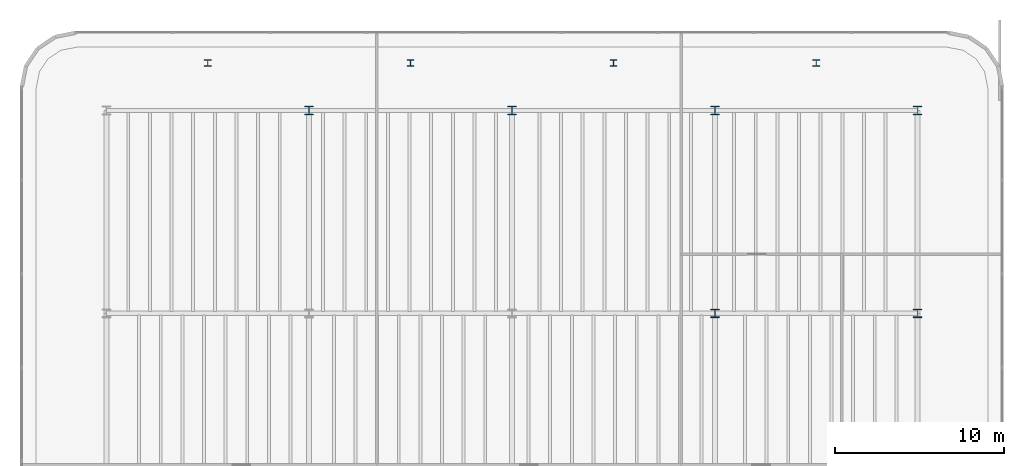
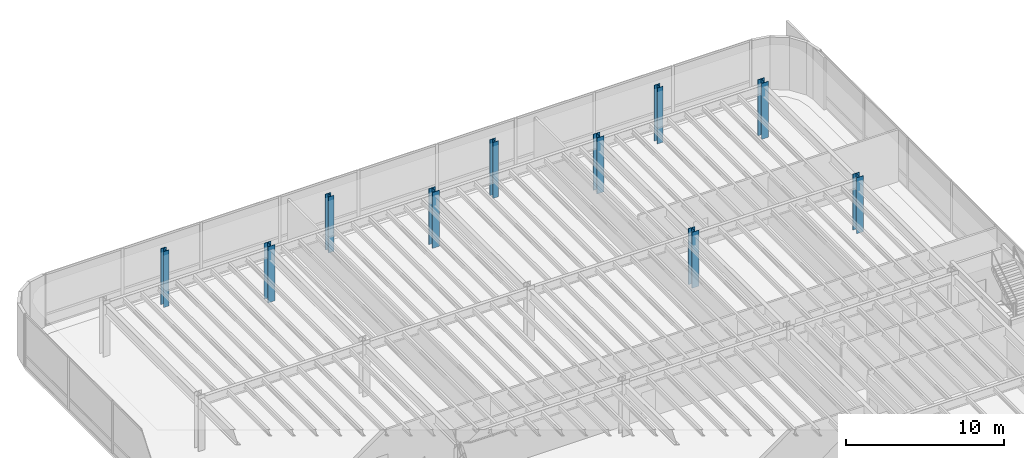
# One storey, part 3 of 19: 10 columns.
"""IFC4 building model written with IfcOpenShell, lengths in metres."""

import ifcopenshell
import ifcopenshell.guid

model = None  # the IFC model being written
_history = None  # IfcOwnerHistory: only IFC2X3 demands one
_inside = {}  # id of a spatial element -> (the spatial element, [elements in it])
_under = {}  # id of a project, library or spatial element -> (it, [spatial elements below it])
_declared = {}  # id of a project -> (the project, [libraries it declares])
_typed = {}  # id of a type object -> (the type object, [elements of that type])
_made_of = {}  # id of a material, layer set ... -> (it, [elements and type objects made of it])


def new_model(schema):
    """Start an empty IFC model of exactly this schema.

    Asked for "IFC4X3", IfcOpenShell would pick the latest addendum, in which some entities
    have other attributes; the version numbers below select the first issue.
    IFC2X3 requires an IfcOwnerHistory on every rooted entity: one is made here for all.
    """
    global model, _history
    if schema == "IFC4X3":
        model = ifcopenshell.file(schema_version=(4, 3, 0, 0))
    else:
        model = ifcopenshell.file(schema=schema)
    _inside.clear()
    _under.clear()
    _declared.clear()
    _typed.clear()
    _made_of.clear()
    _history = None
    if model.schema == "IFC2X3":
        org = make("IfcOrganization", Name="unknown")
        user = make(
            "IfcPersonAndOrganization",
            ThePerson=make("IfcPerson", FamilyName="unknown"),
            TheOrganization=org,
        )
        app = make(
            "IfcApplication",
            ApplicationDeveloper=org,
            Version="unknown",
            ApplicationFullName="unknown",
            ApplicationIdentifier="unknown",
        )
        _history = make(
            "IfcOwnerHistory",
            OwningUser=user,
            OwningApplication=app,
            ChangeAction="ADDED",
            CreationDate=0,
        )
    return model


def make(cls, **values):
    """One entity of the class cls with the attributes given. An attribute that is None is left unset."""
    return model.create_entity(
        cls, **{name: value for name, value in values.items() if value is not None}
    )


def rooted(cls, **values):
    """An entity with a GlobalId (a new one), such as an element, a storey or a relation."""
    return make(cls, GlobalId=ifcopenshell.guid.new(), OwnerHistory=_history, **values)


def si_unit(unit_type, name, prefix=None):
    """IfcSIUnit, for example si_unit("LENGTHUNIT", "METRE", prefix="MILLI")."""
    return make("IfcSIUnit", UnitType=unit_type, Prefix=prefix, Name=name)


def assignment(units):
    """IfcUnitAssignment: the units of a project."""
    return None if units is None else make("IfcUnitAssignment", Units=units)


def point(xyz):
    """IfcCartesianPoint."""
    return None if xyz is None else make("IfcCartesianPoint", Coordinates=xyz)


def direction(xyz):
    """IfcDirection."""
    return None if xyz is None else make("IfcDirection", DirectionRatios=xyz)


def frame(location, z_axis=None, x_axis=None):
    """IfcAxis2Placement3D, a coordinate frame: its origin and axes. An axis left out is left unset."""
    return make(
        "IfcAxis2Placement3D",
        Location=point(location),
        Axis=direction(z_axis),
        RefDirection=direction(x_axis),
    )


def frame_2d(location, x_axis=None):
    """IfcAxis2Placement2D, a coordinate frame in the plane: its origin and x axis."""
    return make(
        "IfcAxis2Placement2D", Location=point(location), RefDirection=direction(x_axis)
    )


def origin():
    """The frame at (0, 0, 0) with its axes left unset."""
    return frame((0.0, 0.0, 0.0))


def origin_2d():
    """The frame at (0, 0) in the plane with its x axis left unset."""
    return frame_2d((0.0, 0.0))


def place(relative_to, where):
    """IfcLocalPlacement: puts the frame where relative to a parent placement (None: the world)."""
    return make(
        "IfcLocalPlacement", PlacementRelTo=relative_to, RelativePlacement=where
    )


def context(
    kind, dimensions, precision=None, world=None, true_north=None, identifier=None
):
    """IfcGeometricRepresentationContext, for example the 3D "Model" context."""
    return make(
        "IfcGeometricRepresentationContext",
        ContextIdentifier=identifier,
        ContextType=kind,
        CoordinateSpaceDimension=dimensions,
        Precision=precision,
        WorldCoordinateSystem=world,
        TrueNorth=true_north,
    )


def subcontext(parent, identifier, kind, view, scale=None):
    """IfcGeometricRepresentationSubContext, for example "Body" below "Model"."""
    return make(
        "IfcGeometricRepresentationSubContext",
        ContextIdentifier=identifier,
        ContextType=kind,
        ParentContext=parent,
        TargetScale=scale,
        TargetView=view,
    )


def project(units=None, contexts=None):
    """IfcProject with its units and contexts."""
    return rooted(
        "IfcProject",
        Name="project",
        RepresentationContexts=contexts,
        UnitsInContext=assignment(units),
    )


def spatial(cls, under=None, at=None, **own):
    """A site, building, storey or space (cls), placed at a placement, below another one or the project."""
    s = rooted(cls, ObjectPlacement=at, **own)
    if under is not None:
        _under.setdefault(under.id(), (under, []))[1].append(s)
    return s


def profile(cls, at=None, kind="AREA", **sizes):
    """A parametric profile (cls). Its sizes go by their IFC names, for example OverallWidth=200.0."""
    return make(cls, ProfileType=kind, Position=at, **sizes)


def i_section(**sizes):
    """IfcIShapeProfileDef."""
    return profile("IfcIShapeProfileDef", **sizes)


def extrude(swept, where, along, depth):
    """IfcExtrudedAreaSolid: the profile swept, set in the frame where, extruded along a direction by depth."""
    return make(
        "IfcExtrudedAreaSolid",
        SweptArea=swept,
        Position=where,
        ExtrudedDirection=direction(along),
        Depth=depth,
    )


def shape(context_of_items, identifier, shape_type, items):
    """IfcShapeRepresentation: the items that make up one representation, for example the "Body"."""
    return make(
        "IfcShapeRepresentation",
        ContextOfItems=context_of_items,
        RepresentationIdentifier=identifier,
        RepresentationType=shape_type,
        Items=items,
    )


def source(mapping_origin, context_of_items, identifier, shape_type, items):
    """IfcRepresentationMap: a shape defined once, which mapped items show again and again."""
    return make(
        "IfcRepresentationMap",
        MappingOrigin=mapping_origin,
        MappedRepresentation=shape(context_of_items, identifier, shape_type, items),
    )


def transform(
    local_origin,
    x_axis=None,
    y_axis=None,
    z_axis=None,
    scale=None,
    scale2=None,
    scale3=None,
    uniform=True,
):
    """IfcCartesianTransformationOperator3D, or its non-uniform kind. x_axis, y_axis, z_axis: its Axis1, 2, 3."""
    if uniform:
        return make(
            "IfcCartesianTransformationOperator3D",
            Axis1=direction(x_axis),
            Axis2=direction(y_axis),
            LocalOrigin=point(local_origin),
            Scale=scale,
            Axis3=direction(z_axis),
        )
    return make(
        "IfcCartesianTransformationOperator3DnonUniform",
        Axis1=direction(x_axis),
        Axis2=direction(y_axis),
        LocalOrigin=point(local_origin),
        Scale=scale,
        Axis3=direction(z_axis),
        Scale2=scale2,
        Scale3=scale3,
    )


def mapped(mapping_source, mapping_target):
    """IfcMappedItem: shows the shape of a source again, moved by a transform."""
    return make(
        "IfcMappedItem", MappingSource=mapping_source, MappingTarget=mapping_target
    )


def material(Name=None, Category=None):
    """IfcMaterial."""
    return make("IfcMaterial", Name=Name, Category=Category)


def material_profile(
    of_material, cross_section, Name=None, Category=None, Priority=None
):
    """IfcMaterialProfile: a cross section and its material."""
    return make(
        "IfcMaterialProfile",
        Name=Name,
        Material=of_material,
        Profile=cross_section,
        Priority=Priority,
        Category=Category,
    )


def profile_set(profiles, Name=None, composite=None):
    """IfcMaterialProfileSet."""
    return make(
        "IfcMaterialProfileSet",
        Name=Name,
        MaterialProfiles=profiles,
        CompositeProfile=composite,
    )


def made_of(thing, what):
    """Note that an element or type object is made of a material, layer set ...; save() writes the relation."""
    if what is not None:
        _made_of.setdefault(what.id(), (what, []))[1].append(thing)
    return thing


def type_object(cls, material=None, **own):
    """A type object (cls), such as IfcWallType, which elements share."""
    return made_of(rooted(cls, **own), material)


def element(
    cls,
    number,
    at=None,
    inside=None,
    cuts=None,
    type_object=None,
    material=None,
    context=None,
    identifier="Body",
    shape_type=None,
    held_by="IfcProductDefinitionShape",
    body=None,
    shapes=None,
    **own,
):
    """One element of the class cls, such as IfcWall. Its Tag is "e" and its number.

    at: its placement. inside: the storey or other place that contains it. cuts: it is an
    opening in that element (IfcRelVoidsElement). A single representation is given by context,
    identifier, shape_type and body (its items); several are given by shapes. held_by: the class
    of the entity that holds the representations. save() writes the other relations.
    """
    e = rooted(cls, Tag="e%d" % number, ObjectPlacement=at, **own)
    if body is not None:
        shapes = [shape(context, identifier, shape_type, body)]
    if shapes is not None:
        e.Representation = make(held_by, Representations=shapes)
    if inside is not None:
        _inside.setdefault(inside.id(), (inside, []))[1].append(e)
    if cuts is not None:
        rooted(
            "IfcRelVoidsElement", RelatingBuildingElement=cuts, RelatedOpeningElement=e
        )
    if type_object is not None:
        _typed.setdefault(type_object.id(), (type_object, []))[1].append(e)
    return made_of(e, material)


def aggregate(whole, parts):
    """IfcRelAggregates: a whole, such as a stair, and the parts it consists of."""
    return rooted("IfcRelAggregates", RelatingObject=whole, RelatedObjects=parts)


def save(model, path):
    """Write the relations noted so far, then the file.

    IfcRelAggregates (storeys below a building ...), IfcRelContainedInSpatialStructure (elements
    in a storey), IfcRelDefinesByType, IfcRelAssociatesMaterial and IfcRelDeclares: one each for
    every whole, place, type object, material and project.
    """
    for whole, parts in _under.values():
        aggregate(whole, parts)
    for where, things in _inside.values():
        rooted(
            "IfcRelContainedInSpatialStructure",
            RelatedElements=things,
            RelatingStructure=where,
        )
    for kind, things in _typed.values():
        rooted("IfcRelDefinesByType", RelatedObjects=things, RelatingType=kind)
    for what, things in _made_of.values():
        rooted("IfcRelAssociatesMaterial", RelatedObjects=things, RelatingMaterial=what)
    for by, libraries in _declared.values():
        rooted("IfcRelDeclares", RelatingContext=by, RelatedDefinitions=libraries)
    model.write(path)


model = new_model("IFC4")

# Units and contexts
model_context = context("Model", 3, precision=1e-05, world=origin(), true_north=direction((0.0, 1.0)))
body_context = subcontext(model_context, "Body", "Model", "MODEL_VIEW")
ifc_project = project(units=[si_unit("LENGTHUNIT", "METRE"), si_unit("AREAUNIT", "SQUARE_METRE"), si_unit("VOLUMEUNIT", "CUBIC_METRE"), si_unit("PLANEANGLEUNIT", "RADIAN"), si_unit("MASSUNIT", "GRAM", prefix="KILO")], contexts=[model_context])

# Site, building, storey
site_placement = place(None, origin())
site = spatial("IfcSite", under=ifc_project, at=site_placement, CompositionType="ELEMENT")
building_placement = place(site_placement, origin())
building = spatial("IfcBuilding", under=site, at=building_placement, Name="Brelvock Crest Care Tower", CompositionType="ELEMENT")
storey_placement = place(building_placement, frame((0.0, 0.0, 14.0400390625)))
storey = spatial("IfcBuildingStorey", under=building, at=storey_placement, Name="L03", CompositionType="ELEMENT", Elevation=14.0400390625)

# Columns
ifc_material = material(Name="Steel Grade 350", Category="steel")
ifc_material_profile_1 = material_profile(ifc_material, i_section(OverallWidth=0.5, OverallDepth=0.5, WebThickness=0.02197265625, FlangeThickness=0.034912109375, at=origin_2d()), Name="500WC340")
ifc_profile_set_1 = profile_set([ifc_material_profile_1], Name="Steel Grade 350")
column_type_1 = type_object("IfcColumnType", Name="COL-PC2", PredefinedType="COLUMN", material=ifc_profile_set_1)
shared_shape_1 = source(origin(), body_context, "Body", "SweptSolid", [
    extrude(i_section(OverallWidth=0.5, OverallDepth=0.5, WebThickness=0.02197265625, FlangeThickness=0.034912109375, at=origin_2d()), origin(), (0.0, 0.0, 1.0), 4.320068359375),
])
for number, where, z_axis, x_axis, name in (
    (1, (48.0, 42.0, 0.0), (0.0, 0.0, 1.0), (1.0, 0.0, 0.0), "L03 Podium Column PC-13"),
    (2, (60.0, 42.0, 0.0), (0.0, 0.0, 1.0), (1.0, 0.0, 0.0), "L03 Podium Column PC-14"),
    (3, (24.0, 54.0, 0.0), (0.0, 0.0, 1.0), (1.0, 0.0, 0.0), "L03 Podium Column PC-16"),
    (4, (36.0, 54.0, 0.0), (0.0, 0.0, 1.0), (1.0, 0.0, 0.0), "L03 Podium Column PC-17"),
    (5, (48.0, 54.0, 0.0), (0.0, 0.0, 1.0), (1.0, 0.0, 0.0), "L03 Podium Column PC-18"),
    (6, (60.0, 54.0, 0.0), (0.0, 0.0, 1.0), (1.0, 0.0, 0.0), "L03 Podium Column PC-19"),
):
    element("IfcColumn", number, at=place(storey_placement, frame(where, z_axis=z_axis, x_axis=x_axis)), inside=storey, type_object=column_type_1, Name=name, PredefinedType="COLUMN", context=body_context, shape_type="MappedRepresentation", body=[
        mapped(shared_shape_1, transform((0.0, 0.0, 0.0), x_axis=(1.0, 0.0, 0.0), y_axis=(0.0, 1.0, 0.0), z_axis=(0.0, 0.0, 1.0), scale=1.0)),
    ])
ifc_material_profile_2 = material_profile(ifc_material, i_section(OverallWidth=0.39990234375, OverallDepth=0.39990234375, WebThickness=0.02197265625, FlangeThickness=0.034912109375, at=origin_2d()), Name="400WC270")
ifc_profile_set_2 = profile_set([ifc_material_profile_2], Name="Steel Grade 350")
column_type_2 = type_object("IfcColumnType", Name="COL-PC3", PredefinedType="COLUMN", material=ifc_profile_set_2)
shared_shape_2 = source(origin(), body_context, "Body", "SweptSolid", [
    extrude(i_section(OverallWidth=0.39990234375, OverallDepth=0.39990234375, WebThickness=0.02197265625, FlangeThickness=0.034912109375, at=origin_2d()), origin(), (0.0, 0.0, 1.0), 4.320068359375),
])
for number, where, z_axis, x_axis, name in (
    (7, (18.0, 56.800048828125, 0.0), (0.0, 0.0, 1.0), (1.0, 0.0, 0.0), "L03 Podium North Column PCN-1"),
    (8, (30.0, 56.800048828125, 0.0), (0.0, 0.0, 1.0), (1.0, 0.0, 0.0), "L03 Podium North Column PCN-2"),
    (9, (42.0, 56.800048828125, 0.0), (0.0, 0.0, 1.0), (1.0, 0.0, 0.0), "L03 Podium North Column PCN-3"),
    (10, (54.0, 56.800048828125, 0.0), (0.0, 0.0, 1.0), (1.0, 0.0, 0.0), "L03 Podium North Column PCN-4"),
):
    element("IfcColumn", number, at=place(storey_placement, frame(where, z_axis=z_axis, x_axis=x_axis)), inside=storey, type_object=column_type_2, Name=name, PredefinedType="COLUMN", context=body_context, shape_type="MappedRepresentation", body=[
        mapped(shared_shape_2, transform((0.0, 0.0, 0.0), x_axis=(1.0, 0.0, 0.0), y_axis=(0.0, 1.0, 0.0), z_axis=(0.0, 0.0, 1.0), scale=1.0)),
    ])

save(model, "model.ifc")
